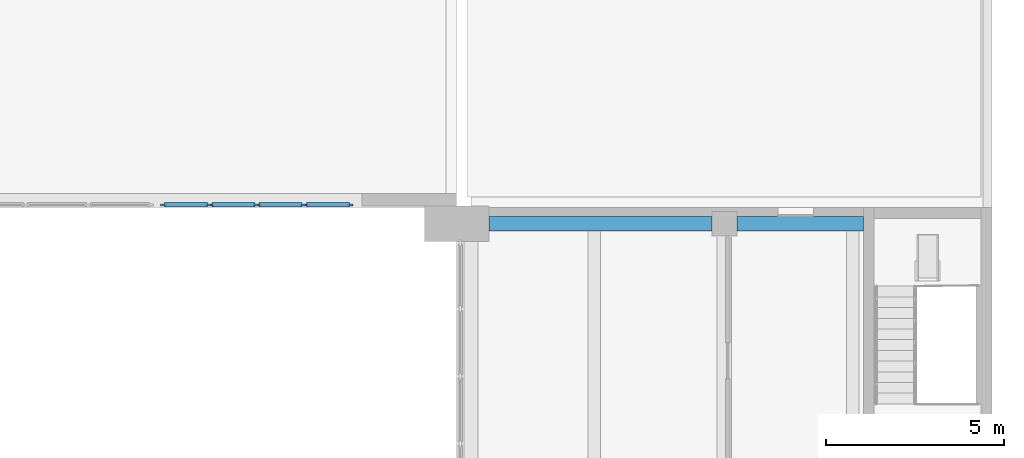
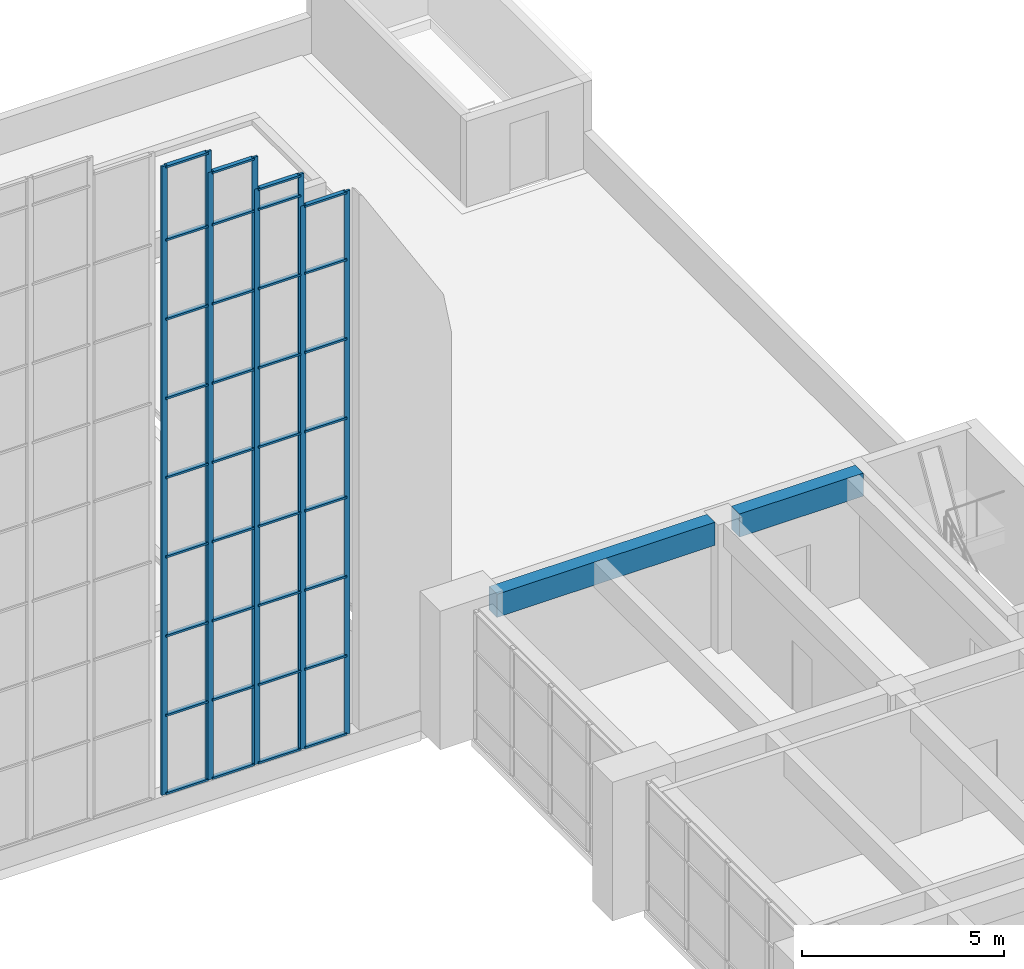
# One storey, part 18 of 43: 43 members, 2 beams, 4 elements without a shape of their own.
"""IFC4 building model written with IfcOpenShell, lengths in metres."""

import ifcopenshell
import ifcopenshell.guid

model = None  # the IFC model being written
_history = None  # IfcOwnerHistory: only IFC2X3 demands one
_inside = {}  # id of a spatial element -> (the spatial element, [elements in it])
_under = {}  # id of a project, library or spatial element -> (it, [spatial elements below it])
_declared = {}  # id of a project -> (the project, [libraries it declares])
_typed = {}  # id of a type object -> (the type object, [elements of that type])
_made_of = {}  # id of a material, layer set ... -> (it, [elements and type objects made of it])


def new_model(schema):
    """Start an empty IFC model of exactly this schema.

    Asked for "IFC4X3", IfcOpenShell would pick the latest addendum, in which some entities
    have other attributes; the version numbers below select the first issue.
    IFC2X3 requires an IfcOwnerHistory on every rooted entity: one is made here for all.
    """
    global model, _history
    if schema == "IFC4X3":
        model = ifcopenshell.file(schema_version=(4, 3, 0, 0))
    else:
        model = ifcopenshell.file(schema=schema)
    _inside.clear()
    _under.clear()
    _declared.clear()
    _typed.clear()
    _made_of.clear()
    _history = None
    if model.schema == "IFC2X3":
        org = make("IfcOrganization", Name="unknown")
        user = make(
            "IfcPersonAndOrganization",
            ThePerson=make("IfcPerson", FamilyName="unknown"),
            TheOrganization=org,
        )
        app = make(
            "IfcApplication",
            ApplicationDeveloper=org,
            Version="unknown",
            ApplicationFullName="unknown",
            ApplicationIdentifier="unknown",
        )
        _history = make(
            "IfcOwnerHistory",
            OwningUser=user,
            OwningApplication=app,
            ChangeAction="ADDED",
            CreationDate=0,
        )
    return model


def make(cls, **values):
    """One entity of the class cls with the attributes given. An attribute that is None is left unset."""
    return model.create_entity(
        cls, **{name: value for name, value in values.items() if value is not None}
    )


def rooted(cls, **values):
    """An entity with a GlobalId (a new one), such as an element, a storey or a relation."""
    return make(cls, GlobalId=ifcopenshell.guid.new(), OwnerHistory=_history, **values)


def si_unit(unit_type, name, prefix=None):
    """IfcSIUnit, for example si_unit("LENGTHUNIT", "METRE", prefix="MILLI")."""
    return make("IfcSIUnit", UnitType=unit_type, Prefix=prefix, Name=name)


def assignment(units):
    """IfcUnitAssignment: the units of a project."""
    return None if units is None else make("IfcUnitAssignment", Units=units)


def point(xyz):
    """IfcCartesianPoint."""
    return None if xyz is None else make("IfcCartesianPoint", Coordinates=xyz)


def direction(xyz):
    """IfcDirection."""
    return None if xyz is None else make("IfcDirection", DirectionRatios=xyz)


def frame(location, z_axis=None, x_axis=None):
    """IfcAxis2Placement3D, a coordinate frame: its origin and axes. An axis left out is left unset."""
    return make(
        "IfcAxis2Placement3D",
        Location=point(location),
        Axis=direction(z_axis),
        RefDirection=direction(x_axis),
    )


def frame_2d(location, x_axis=None):
    """IfcAxis2Placement2D, a coordinate frame in the plane: its origin and x axis."""
    return make(
        "IfcAxis2Placement2D", Location=point(location), RefDirection=direction(x_axis)
    )


def origin():
    """The frame at (0, 0, 0) with its axes left unset."""
    return frame((0.0, 0.0, 0.0))


def origin_2d():
    """The frame at (0, 0) in the plane with its x axis left unset."""
    return frame_2d((0.0, 0.0))


def place(relative_to, where):
    """IfcLocalPlacement: puts the frame where relative to a parent placement (None: the world)."""
    return make(
        "IfcLocalPlacement", PlacementRelTo=relative_to, RelativePlacement=where
    )


def context(
    kind, dimensions, precision=None, world=None, true_north=None, identifier=None
):
    """IfcGeometricRepresentationContext, for example the 3D "Model" context."""
    return make(
        "IfcGeometricRepresentationContext",
        ContextIdentifier=identifier,
        ContextType=kind,
        CoordinateSpaceDimension=dimensions,
        Precision=precision,
        WorldCoordinateSystem=world,
        TrueNorth=true_north,
    )


def subcontext(parent, identifier, kind, view, scale=None):
    """IfcGeometricRepresentationSubContext, for example "Body" below "Model"."""
    return make(
        "IfcGeometricRepresentationSubContext",
        ContextIdentifier=identifier,
        ContextType=kind,
        ParentContext=parent,
        TargetScale=scale,
        TargetView=view,
    )


def project(units=None, contexts=None):
    """IfcProject with its units and contexts."""
    return rooted(
        "IfcProject",
        Name="project",
        RepresentationContexts=contexts,
        UnitsInContext=assignment(units),
    )


def spatial(cls, under=None, at=None, **own):
    """A site, building, storey or space (cls), placed at a placement, below another one or the project."""
    s = rooted(cls, ObjectPlacement=at, **own)
    if under is not None:
        _under.setdefault(under.id(), (under, []))[1].append(s)
    return s


def profile(cls, at=None, kind="AREA", **sizes):
    """A parametric profile (cls). Its sizes go by their IFC names, for example OverallWidth=200.0."""
    return make(cls, ProfileType=kind, Position=at, **sizes)


def rectangle(**sizes):
    """IfcRectangleProfileDef."""
    return profile("IfcRectangleProfileDef", **sizes)


def extrude(swept, where, along, depth):
    """IfcExtrudedAreaSolid: the profile swept, set in the frame where, extruded along a direction by depth."""
    return make(
        "IfcExtrudedAreaSolid",
        SweptArea=swept,
        Position=where,
        ExtrudedDirection=direction(along),
        Depth=depth,
    )


def shape(context_of_items, identifier, shape_type, items):
    """IfcShapeRepresentation: the items that make up one representation, for example the "Body"."""
    return make(
        "IfcShapeRepresentation",
        ContextOfItems=context_of_items,
        RepresentationIdentifier=identifier,
        RepresentationType=shape_type,
        Items=items,
    )


def material(Name=None, Category=None):
    """IfcMaterial."""
    return make("IfcMaterial", Name=Name, Category=Category)


def material_profile(
    of_material, cross_section, Name=None, Category=None, Priority=None
):
    """IfcMaterialProfile: a cross section and its material."""
    return make(
        "IfcMaterialProfile",
        Name=Name,
        Material=of_material,
        Profile=cross_section,
        Priority=Priority,
        Category=Category,
    )


def profile_set(profiles, Name=None, composite=None):
    """IfcMaterialProfileSet."""
    return make(
        "IfcMaterialProfileSet",
        Name=Name,
        MaterialProfiles=profiles,
        CompositeProfile=composite,
    )


def made_of(thing, what):
    """Note that an element or type object is made of a material, layer set ...; save() writes the relation."""
    if what is not None:
        _made_of.setdefault(what.id(), (what, []))[1].append(thing)
    return thing


def type_object(cls, material=None, **own):
    """A type object (cls), such as IfcWallType, which elements share."""
    return made_of(rooted(cls, **own), material)


def element(
    cls,
    number,
    at=None,
    inside=None,
    cuts=None,
    type_object=None,
    material=None,
    context=None,
    identifier="Body",
    shape_type=None,
    held_by="IfcProductDefinitionShape",
    body=None,
    shapes=None,
    **own,
):
    """One element of the class cls, such as IfcWall. Its Tag is "e" and its number.

    at: its placement. inside: the storey or other place that contains it. cuts: it is an
    opening in that element (IfcRelVoidsElement). A single representation is given by context,
    identifier, shape_type and body (its items); several are given by shapes. held_by: the class
    of the entity that holds the representations. save() writes the other relations.
    """
    e = rooted(cls, Tag="e%d" % number, ObjectPlacement=at, **own)
    if body is not None:
        shapes = [shape(context, identifier, shape_type, body)]
    if shapes is not None:
        e.Representation = make(held_by, Representations=shapes)
    if inside is not None:
        _inside.setdefault(inside.id(), (inside, []))[1].append(e)
    if cuts is not None:
        rooted(
            "IfcRelVoidsElement", RelatingBuildingElement=cuts, RelatedOpeningElement=e
        )
    if type_object is not None:
        _typed.setdefault(type_object.id(), (type_object, []))[1].append(e)
    return made_of(e, material)


def aggregate(whole, parts):
    """IfcRelAggregates: a whole, such as a stair, and the parts it consists of."""
    return rooted("IfcRelAggregates", RelatingObject=whole, RelatedObjects=parts)


def save(model, path):
    """Write the relations noted so far, then the file.

    IfcRelAggregates (storeys below a building ...), IfcRelContainedInSpatialStructure (elements
    in a storey), IfcRelDefinesByType, IfcRelAssociatesMaterial and IfcRelDeclares: one each for
    every whole, place, type object, material and project.
    """
    for whole, parts in _under.values():
        aggregate(whole, parts)
    for where, things in _inside.values():
        rooted(
            "IfcRelContainedInSpatialStructure",
            RelatedElements=things,
            RelatingStructure=where,
        )
    for kind, things in _typed.values():
        rooted("IfcRelDefinesByType", RelatedObjects=things, RelatingType=kind)
    for what, things in _made_of.values():
        rooted("IfcRelAssociatesMaterial", RelatedObjects=things, RelatingMaterial=what)
    for by, libraries in _declared.values():
        rooted("IfcRelDeclares", RelatingContext=by, RelatedDefinitions=libraries)
    model.write(path)


model = new_model("IFC4")

# Units and contexts
model_context = context("Model", 3, precision=1e-05, world=origin(), true_north=direction((0.0, 1.0)))
body_context = subcontext(model_context, "Body", "Model", "MODEL_VIEW")
ifc_project = project(units=[si_unit("LENGTHUNIT", "METRE"), si_unit("AREAUNIT", "SQUARE_METRE"), si_unit("VOLUMEUNIT", "CUBIC_METRE"), si_unit("PLANEANGLEUNIT", "RADIAN"), si_unit("MASSUNIT", "GRAM", prefix="KILO")], contexts=[model_context])

# Site, building, storey
site_placement = place(None, origin())
site = spatial("IfcSite", under=ifc_project, at=site_placement, CompositionType="ELEMENT")
building_placement = place(site_placement, origin())
building = spatial("IfcBuilding", under=site, at=building_placement, Name="Elmora Arch Market Hall", CompositionType="ELEMENT")
storey_placement = place(building_placement, frame((0.0, 0.0, 10.199951171875)))
storey = spatial("IfcBuildingStorey", under=building, at=storey_placement, Name="L02", CompositionType="ELEMENT", Elevation=10.199951171875)

# Curtain wall, members
ifc_material_1 = material(Name="Aluminium", Category="aluminium")
curtain_wall_type = type_object("IfcCurtainWallType", Name="Gable curtain wall", PredefinedType="NOTDEFINED", material=ifc_material_1)
curtain_wall_1_placement = place(storey_placement, origin())
curtain_wall_1 = element("IfcCurtainWall", 1, at=curtain_wall_1_placement, inside=storey, type_object=curtain_wall_type, Name="North gable glazing 11", PredefinedType="NOTDEFINED")
ifc_material_2 = material(Name="Aluminium", Category="aluminium")
ifc_material_profile_1 = material_profile(ifc_material_2, rectangle(XDim=0.06005859375, YDim=0.159912109375, at=origin_2d()), Name="AL 60x160")
ifc_profile_set_1 = profile_set([ifc_material_profile_1], Name="Aluminium")
member_type_1 = type_object("IfcMemberType", Name="Mullion 60x160", PredefinedType="MULLION", material=ifc_profile_set_1)
member_1_placement = place(storey_placement, frame((34.780029296875, 99.080078125, 0.60009765625), z_axis=(0.0, 0.0, 1.0), x_axis=(0.0, 1.0, 0.0)))
member_1 = element("IfcMember", 2, at=member_1_placement, type_object=member_type_1, Name="CW8 mullion 1", PredefinedType="MULLION", context=body_context, shape_type="SweptSolid", body=[
    extrude(rectangle(XDim=0.06005859375, YDim=0.159912109375, at=origin_2d()), origin(), (0.0, 0.0, 1.0), 19.044921875),
])
member_2_placement = place(storey_placement, frame((36.044921875, 99.080078125, 0.60009765625), z_axis=(0.0, 0.0, 1.0), x_axis=(0.0, 1.0, 0.0)))
member_2 = element("IfcMember", 3, at=member_2_placement, type_object=member_type_1, Name="CW8 mullion 2", PredefinedType="MULLION", context=body_context, shape_type="SweptSolid", body=[
    extrude(rectangle(XDim=0.06005859375, YDim=0.159912109375, at=origin_2d()), origin(), (0.0, 0.0, 1.0), 19.044921875),
])

curtain_wall_2_placement = place(storey_placement, origin())
curtain_wall_2 = element("IfcCurtainWall", 4, at=curtain_wall_2_placement, inside=storey, type_object=curtain_wall_type, Name="North gable glazing 12", PredefinedType="NOTDEFINED")
member_3_placement = place(storey_placement, frame((36.10498046875, 99.080078125, 0.60009765625), z_axis=(0.0, 0.0, 1.0), x_axis=(0.0, 1.0, 0.0)))
member_3 = element("IfcMember", 5, at=member_3_placement, type_object=member_type_1, Name="CW8 mullion 1", PredefinedType="MULLION", context=body_context, shape_type="SweptSolid", body=[
    extrude(rectangle(XDim=0.06005859375, YDim=0.159912109375, at=origin_2d()), origin(), (0.0, 0.0, 1.0), 18.406982421875),
])
member_4_placement = place(storey_placement, frame((37.3701171875, 99.080078125, 0.60009765625), z_axis=(0.0, 0.0, 1.0), x_axis=(0.0, 1.0, 0.0)))
member_4 = element("IfcMember", 6, at=member_4_placement, type_object=member_type_1, Name="CW8 mullion 2", PredefinedType="MULLION", context=body_context, shape_type="SweptSolid", body=[
    extrude(rectangle(XDim=0.06005859375, YDim=0.159912109375, at=origin_2d()), origin(), (0.0, 0.0, 1.0), 18.406982421875),
])

curtain_wall_3_placement = place(storey_placement, origin())
curtain_wall_3 = element("IfcCurtainWall", 7, at=curtain_wall_3_placement, inside=storey, type_object=curtain_wall_type, Name="North gable glazing 13", PredefinedType="NOTDEFINED")
member_5_placement = place(storey_placement, frame((37.429931640625, 99.080078125, 0.60009765625), z_axis=(0.0, 0.0, 1.0), x_axis=(0.0, 1.0, 0.0)))
member_5 = element("IfcMember", 8, at=member_5_placement, type_object=member_type_1, Name="CW8 mullion 1", PredefinedType="MULLION", context=body_context, shape_type="SweptSolid", body=[
    extrude(rectangle(XDim=0.06005859375, YDim=0.159912109375, at=origin_2d()), origin(), (0.0, 0.0, 1.0), 17.431884765625),
])
member_6_placement = place(storey_placement, frame((38.695068359375, 99.080078125, 0.60009765625), z_axis=(0.0, 0.0, 1.0), x_axis=(0.0, 1.0, 0.0)))
member_6 = element("IfcMember", 9, at=member_6_placement, type_object=member_type_1, Name="CW8 mullion 2", PredefinedType="MULLION", context=body_context, shape_type="SweptSolid", body=[
    extrude(rectangle(XDim=0.06005859375, YDim=0.159912109375, at=origin_2d()), origin(), (0.0, 0.0, 1.0), 17.431884765625),
])

curtain_wall_4_placement = place(storey_placement, origin())
curtain_wall_4 = element("IfcCurtainWall", 10, at=curtain_wall_4_placement, inside=storey, type_object=curtain_wall_type, Name="North gable glazing 14", PredefinedType="NOTDEFINED")
member_7_placement = place(storey_placement, frame((38.7548828125, 99.080078125, 0.60009765625), z_axis=(0.0, 0.0, 1.0), x_axis=(0.0, 1.0, 0.0)))
member_7 = element("IfcMember", 11, at=member_7_placement, type_object=member_type_1, Name="CW8 mullion 1", PredefinedType="MULLION", context=body_context, shape_type="SweptSolid", body=[
    extrude(rectangle(XDim=0.06005859375, YDim=0.159912109375, at=origin_2d()), origin(), (0.0, 0.0, 1.0), 16.4580078125),
])
member_8_placement = place(storey_placement, frame((40.02001953125, 99.080078125, 0.60009765625), z_axis=(0.0, 0.0, 1.0), x_axis=(0.0, 1.0, 0.0)))
member_8 = element("IfcMember", 12, at=member_8_placement, type_object=member_type_1, Name="CW8 mullion 2", PredefinedType="MULLION", context=body_context, shape_type="SweptSolid", body=[
    extrude(rectangle(XDim=0.06005859375, YDim=0.159912109375, at=origin_2d()), origin(), (0.0, 0.0, 1.0), 16.4580078125),
])

# Member
ifc_material_3 = material(Name="Aluminium", Category="aluminium")
ifc_material_profile_2 = material_profile(ifc_material_3, rectangle(XDim=0.1201171875, YDim=0.06005859375, at=origin_2d()), Name="AL 120x60")
ifc_profile_set_2 = profile_set([ifc_material_profile_2], Name="Aluminium")
member_type_2 = type_object("IfcMemberType", Name="Transom 120x60", PredefinedType="USERDEFINED", material=ifc_profile_set_2)
member_9_placement = place(storey_placement, frame((34.81005859375, 99.080078125, 0.630126953125), z_axis=(1.0, 0.0, 0.0), x_axis=(0.0, 1.0, 0.0)))
member_9 = element("IfcMember", 13, at=member_9_placement, type_object=member_type_2, Name="CW8 transom 1.1", ObjectType="TRANSOM", PredefinedType="USERDEFINED", context=body_context, shape_type="SweptSolid", body=[
    extrude(rectangle(XDim=0.1201171875, YDim=0.06005859375, at=origin_2d()), origin(), (0.0, 0.0, 1.0), 1.204833984375),
])

member_10_placement = place(storey_placement, frame((34.81005859375, 99.080078125, 3.0), z_axis=(1.0, 0.0, 0.0), x_axis=(0.0, 1.0, 0.0)))
member_10 = element("IfcMember", 14, at=member_10_placement, type_object=member_type_2, Name="CW8 transom 1.2", ObjectType="TRANSOM", PredefinedType="USERDEFINED", context=body_context, shape_type="SweptSolid", body=[
    extrude(rectangle(XDim=0.1201171875, YDim=0.06005859375, at=origin_2d()), origin(), (0.0, 0.0, 1.0), 1.204833984375),
])

member_11_placement = place(storey_placement, frame((34.81005859375, 99.080078125, 5.400146484375), z_axis=(1.0, 0.0, 0.0), x_axis=(0.0, 1.0, 0.0)))
member_11 = element("IfcMember", 15, at=member_11_placement, type_object=member_type_2, Name="CW8 transom 1.3", ObjectType="TRANSOM", PredefinedType="USERDEFINED", context=body_context, shape_type="SweptSolid", body=[
    extrude(rectangle(XDim=0.1201171875, YDim=0.06005859375, at=origin_2d()), origin(), (0.0, 0.0, 1.0), 1.204833984375),
])

member_12_placement = place(storey_placement, frame((34.81005859375, 99.080078125, 7.800048828125), z_axis=(1.0, 0.0, 0.0), x_axis=(0.0, 1.0, 0.0)))
member_12 = element("IfcMember", 16, at=member_12_placement, type_object=member_type_2, Name="CW8 transom 1.4", ObjectType="TRANSOM", PredefinedType="USERDEFINED", context=body_context, shape_type="SweptSolid", body=[
    extrude(rectangle(XDim=0.1201171875, YDim=0.06005859375, at=origin_2d()), origin(), (0.0, 0.0, 1.0), 1.204833984375),
])

member_13_placement = place(storey_placement, frame((34.81005859375, 99.080078125, 10.199951171875), z_axis=(1.0, 0.0, 0.0), x_axis=(0.0, 1.0, 0.0)))
member_13 = element("IfcMember", 17, at=member_13_placement, type_object=member_type_2, Name="CW8 transom 1.5", ObjectType="TRANSOM", PredefinedType="USERDEFINED", context=body_context, shape_type="SweptSolid", body=[
    extrude(rectangle(XDim=0.1201171875, YDim=0.06005859375, at=origin_2d()), origin(), (0.0, 0.0, 1.0), 1.204833984375),
])

member_14_placement = place(storey_placement, frame((34.81005859375, 99.080078125, 12.60009765625), z_axis=(1.0, 0.0, 0.0), x_axis=(0.0, 1.0, 0.0)))
member_14 = element("IfcMember", 18, at=member_14_placement, type_object=member_type_2, Name="CW8 transom 1.6", ObjectType="TRANSOM", PredefinedType="USERDEFINED", context=body_context, shape_type="SweptSolid", body=[
    extrude(rectangle(XDim=0.1201171875, YDim=0.06005859375, at=origin_2d()), origin(), (0.0, 0.0, 1.0), 1.204833984375),
])

member_15_placement = place(storey_placement, frame((34.81005859375, 99.080078125, 15.0), z_axis=(1.0, 0.0, 0.0), x_axis=(0.0, 1.0, 0.0)))
member_15 = element("IfcMember", 19, at=member_15_placement, type_object=member_type_2, Name="CW8 transom 1.7", ObjectType="TRANSOM", PredefinedType="USERDEFINED", context=body_context, shape_type="SweptSolid", body=[
    extrude(rectangle(XDim=0.1201171875, YDim=0.06005859375, at=origin_2d()), origin(), (0.0, 0.0, 1.0), 1.204833984375),
])

member_16_placement = place(storey_placement, frame((34.81005859375, 99.080078125, 17.400146484375), z_axis=(1.0, 0.0, 0.0), x_axis=(0.0, 1.0, 0.0)))
member_16 = element("IfcMember", 20, at=member_16_placement, type_object=member_type_2, Name="CW8 transom 1.8", ObjectType="TRANSOM", PredefinedType="USERDEFINED", context=body_context, shape_type="SweptSolid", body=[
    extrude(rectangle(XDim=0.1201171875, YDim=0.06005859375, at=origin_2d()), origin(), (0.0, 0.0, 1.0), 1.204833984375),
])

member_17_placement = place(storey_placement, frame((34.81005859375, 99.080078125, 19.614990234375), z_axis=(1.0, 0.0, 0.0), x_axis=(0.0, 1.0, 0.0)))
member_17 = element("IfcMember", 21, at=member_17_placement, type_object=member_type_2, Name="CW8 transom 1.9", ObjectType="TRANSOM", PredefinedType="USERDEFINED", context=body_context, shape_type="SweptSolid", body=[
    extrude(rectangle(XDim=0.1201171875, YDim=0.06005859375, at=origin_2d()), origin(), (0.0, 0.0, 1.0), 1.204833984375),
])

aggregate(curtain_wall_1, [member_1, member_2, member_9, member_10, member_11, member_12, member_13, member_14, member_15, member_16, member_17])

member_18_placement = place(storey_placement, frame((36.135009765625, 99.080078125, 0.630126953125), z_axis=(1.0, 0.0, 0.0), x_axis=(0.0, 1.0, 0.0)))
member_18 = element("IfcMember", 22, at=member_18_placement, type_object=member_type_2, Name="CW8 transom 1.1", ObjectType="TRANSOM", PredefinedType="USERDEFINED", context=body_context, shape_type="SweptSolid", body=[
    extrude(rectangle(XDim=0.1201171875, YDim=0.06005859375, at=origin_2d()), origin(), (0.0, 0.0, 1.0), 1.205078125),
])

member_19_placement = place(storey_placement, frame((36.135009765625, 99.080078125, 3.0), z_axis=(1.0, 0.0, 0.0), x_axis=(0.0, 1.0, 0.0)))
member_19 = element("IfcMember", 23, at=member_19_placement, type_object=member_type_2, Name="CW8 transom 1.2", ObjectType="TRANSOM", PredefinedType="USERDEFINED", context=body_context, shape_type="SweptSolid", body=[
    extrude(rectangle(XDim=0.1201171875, YDim=0.06005859375, at=origin_2d()), origin(), (0.0, 0.0, 1.0), 1.205078125),
])

member_20_placement = place(storey_placement, frame((36.135009765625, 99.080078125, 5.400146484375), z_axis=(1.0, 0.0, 0.0), x_axis=(0.0, 1.0, 0.0)))
member_20 = element("IfcMember", 24, at=member_20_placement, type_object=member_type_2, Name="CW8 transom 1.3", ObjectType="TRANSOM", PredefinedType="USERDEFINED", context=body_context, shape_type="SweptSolid", body=[
    extrude(rectangle(XDim=0.1201171875, YDim=0.06005859375, at=origin_2d()), origin(), (0.0, 0.0, 1.0), 1.205078125),
])

member_21_placement = place(storey_placement, frame((36.135009765625, 99.080078125, 7.800048828125), z_axis=(1.0, 0.0, 0.0), x_axis=(0.0, 1.0, 0.0)))
member_21 = element("IfcMember", 25, at=member_21_placement, type_object=member_type_2, Name="CW8 transom 1.4", ObjectType="TRANSOM", PredefinedType="USERDEFINED", context=body_context, shape_type="SweptSolid", body=[
    extrude(rectangle(XDim=0.1201171875, YDim=0.06005859375, at=origin_2d()), origin(), (0.0, 0.0, 1.0), 1.205078125),
])

member_22_placement = place(storey_placement, frame((36.135009765625, 99.080078125, 10.199951171875), z_axis=(1.0, 0.0, 0.0), x_axis=(0.0, 1.0, 0.0)))
member_22 = element("IfcMember", 26, at=member_22_placement, type_object=member_type_2, Name="CW8 transom 1.5", ObjectType="TRANSOM", PredefinedType="USERDEFINED", context=body_context, shape_type="SweptSolid", body=[
    extrude(rectangle(XDim=0.1201171875, YDim=0.06005859375, at=origin_2d()), origin(), (0.0, 0.0, 1.0), 1.205078125),
])

member_23_placement = place(storey_placement, frame((36.135009765625, 99.080078125, 12.60009765625), z_axis=(1.0, 0.0, 0.0), x_axis=(0.0, 1.0, 0.0)))
member_23 = element("IfcMember", 27, at=member_23_placement, type_object=member_type_2, Name="CW8 transom 1.6", ObjectType="TRANSOM", PredefinedType="USERDEFINED", context=body_context, shape_type="SweptSolid", body=[
    extrude(rectangle(XDim=0.1201171875, YDim=0.06005859375, at=origin_2d()), origin(), (0.0, 0.0, 1.0), 1.205078125),
])

member_24_placement = place(storey_placement, frame((36.135009765625, 99.080078125, 15.0), z_axis=(1.0, 0.0, 0.0), x_axis=(0.0, 1.0, 0.0)))
member_24 = element("IfcMember", 28, at=member_24_placement, type_object=member_type_2, Name="CW8 transom 1.7", ObjectType="TRANSOM", PredefinedType="USERDEFINED", context=body_context, shape_type="SweptSolid", body=[
    extrude(rectangle(XDim=0.1201171875, YDim=0.06005859375, at=origin_2d()), origin(), (0.0, 0.0, 1.0), 1.205078125),
])

member_25_placement = place(storey_placement, frame((36.135009765625, 99.080078125, 17.400146484375), z_axis=(1.0, 0.0, 0.0), x_axis=(0.0, 1.0, 0.0)))
member_25 = element("IfcMember", 29, at=member_25_placement, type_object=member_type_2, Name="CW8 transom 1.8", ObjectType="TRANSOM", PredefinedType="USERDEFINED", context=body_context, shape_type="SweptSolid", body=[
    extrude(rectangle(XDim=0.1201171875, YDim=0.06005859375, at=origin_2d()), origin(), (0.0, 0.0, 1.0), 1.205078125),
])

member_26_placement = place(storey_placement, frame((36.135009765625, 99.080078125, 18.97705078125), z_axis=(1.0, 0.0, 0.0), x_axis=(0.0, 1.0, 0.0)))
member_26 = element("IfcMember", 30, at=member_26_placement, type_object=member_type_2, Name="CW8 transom 1.9", ObjectType="TRANSOM", PredefinedType="USERDEFINED", context=body_context, shape_type="SweptSolid", body=[
    extrude(rectangle(XDim=0.1201171875, YDim=0.06005859375, at=origin_2d()), origin(), (0.0, 0.0, 1.0), 1.205078125),
])

aggregate(curtain_wall_2, [member_3, member_4, member_18, member_19, member_20, member_21, member_22, member_23, member_24, member_25, member_26])

member_27_placement = place(storey_placement, frame((37.4599609375, 99.080078125, 0.630126953125), z_axis=(1.0, 0.0, 0.0), x_axis=(0.0, 1.0, 0.0)))
member_27 = element("IfcMember", 31, at=member_27_placement, type_object=member_type_2, Name="CW8 transom 1.1", ObjectType="TRANSOM", PredefinedType="USERDEFINED", context=body_context, shape_type="SweptSolid", body=[
    extrude(rectangle(XDim=0.1201171875, YDim=0.06005859375, at=origin_2d()), origin(), (0.0, 0.0, 1.0), 1.205078125),
])

member_28_placement = place(storey_placement, frame((37.4599609375, 99.080078125, 3.0), z_axis=(1.0, 0.0, 0.0), x_axis=(0.0, 1.0, 0.0)))
member_28 = element("IfcMember", 32, at=member_28_placement, type_object=member_type_2, Name="CW8 transom 1.2", ObjectType="TRANSOM", PredefinedType="USERDEFINED", context=body_context, shape_type="SweptSolid", body=[
    extrude(rectangle(XDim=0.1201171875, YDim=0.06005859375, at=origin_2d()), origin(), (0.0, 0.0, 1.0), 1.205078125),
])

member_29_placement = place(storey_placement, frame((37.4599609375, 99.080078125, 5.400146484375), z_axis=(1.0, 0.0, 0.0), x_axis=(0.0, 1.0, 0.0)))
member_29 = element("IfcMember", 33, at=member_29_placement, type_object=member_type_2, Name="CW8 transom 1.3", ObjectType="TRANSOM", PredefinedType="USERDEFINED", context=body_context, shape_type="SweptSolid", body=[
    extrude(rectangle(XDim=0.1201171875, YDim=0.06005859375, at=origin_2d()), origin(), (0.0, 0.0, 1.0), 1.205078125),
])

member_30_placement = place(storey_placement, frame((37.4599609375, 99.080078125, 7.800048828125), z_axis=(1.0, 0.0, 0.0), x_axis=(0.0, 1.0, 0.0)))
member_30 = element("IfcMember", 34, at=member_30_placement, type_object=member_type_2, Name="CW8 transom 1.4", ObjectType="TRANSOM", PredefinedType="USERDEFINED", context=body_context, shape_type="SweptSolid", body=[
    extrude(rectangle(XDim=0.1201171875, YDim=0.06005859375, at=origin_2d()), origin(), (0.0, 0.0, 1.0), 1.205078125),
])

member_31_placement = place(storey_placement, frame((37.4599609375, 99.080078125, 10.199951171875), z_axis=(1.0, 0.0, 0.0), x_axis=(0.0, 1.0, 0.0)))
member_31 = element("IfcMember", 35, at=member_31_placement, type_object=member_type_2, Name="CW8 transom 1.5", ObjectType="TRANSOM", PredefinedType="USERDEFINED", context=body_context, shape_type="SweptSolid", body=[
    extrude(rectangle(XDim=0.1201171875, YDim=0.06005859375, at=origin_2d()), origin(), (0.0, 0.0, 1.0), 1.205078125),
])

member_32_placement = place(storey_placement, frame((37.4599609375, 99.080078125, 12.60009765625), z_axis=(1.0, 0.0, 0.0), x_axis=(0.0, 1.0, 0.0)))
member_32 = element("IfcMember", 36, at=member_32_placement, type_object=member_type_2, Name="CW8 transom 1.6", ObjectType="TRANSOM", PredefinedType="USERDEFINED", context=body_context, shape_type="SweptSolid", body=[
    extrude(rectangle(XDim=0.1201171875, YDim=0.06005859375, at=origin_2d()), origin(), (0.0, 0.0, 1.0), 1.205078125),
])

member_33_placement = place(storey_placement, frame((37.4599609375, 99.080078125, 15.0), z_axis=(1.0, 0.0, 0.0), x_axis=(0.0, 1.0, 0.0)))
member_33 = element("IfcMember", 37, at=member_33_placement, type_object=member_type_2, Name="CW8 transom 1.7", ObjectType="TRANSOM", PredefinedType="USERDEFINED", context=body_context, shape_type="SweptSolid", body=[
    extrude(rectangle(XDim=0.1201171875, YDim=0.06005859375, at=origin_2d()), origin(), (0.0, 0.0, 1.0), 1.205078125),
])

member_34_placement = place(storey_placement, frame((37.4599609375, 99.080078125, 17.400146484375), z_axis=(1.0, 0.0, 0.0), x_axis=(0.0, 1.0, 0.0)))
member_34 = element("IfcMember", 38, at=member_34_placement, type_object=member_type_2, Name="CW8 transom 1.8", ObjectType="TRANSOM", PredefinedType="USERDEFINED", context=body_context, shape_type="SweptSolid", body=[
    extrude(rectangle(XDim=0.1201171875, YDim=0.06005859375, at=origin_2d()), origin(), (0.0, 0.0, 1.0), 1.205078125),
])

member_35_placement = place(storey_placement, frame((37.4599609375, 99.080078125, 18.001953125), z_axis=(1.0, 0.0, 0.0), x_axis=(0.0, 1.0, 0.0)))
member_35 = element("IfcMember", 39, at=member_35_placement, type_object=member_type_2, Name="CW8 transom 1.9", ObjectType="TRANSOM", PredefinedType="USERDEFINED", context=body_context, shape_type="SweptSolid", body=[
    extrude(rectangle(XDim=0.1201171875, YDim=0.06005859375, at=origin_2d()), origin(), (0.0, 0.0, 1.0), 1.205078125),
])

aggregate(curtain_wall_3, [member_5, member_6, member_27, member_28, member_29, member_30, member_31, member_32, member_33, member_34, member_35])

member_36_placement = place(storey_placement, frame((38.784912109375, 99.080078125, 0.630126953125), z_axis=(1.0, 0.0, 0.0), x_axis=(0.0, 1.0, 0.0)))
member_36 = element("IfcMember", 40, at=member_36_placement, type_object=member_type_2, Name="CW8 transom 1.1", ObjectType="TRANSOM", PredefinedType="USERDEFINED", context=body_context, shape_type="SweptSolid", body=[
    extrude(rectangle(XDim=0.1201171875, YDim=0.06005859375, at=origin_2d()), origin(), (0.0, 0.0, 1.0), 1.205078125),
])

member_37_placement = place(storey_placement, frame((38.784912109375, 99.080078125, 3.0), z_axis=(1.0, 0.0, 0.0), x_axis=(0.0, 1.0, 0.0)))
member_37 = element("IfcMember", 41, at=member_37_placement, type_object=member_type_2, Name="CW8 transom 1.2", ObjectType="TRANSOM", PredefinedType="USERDEFINED", context=body_context, shape_type="SweptSolid", body=[
    extrude(rectangle(XDim=0.1201171875, YDim=0.06005859375, at=origin_2d()), origin(), (0.0, 0.0, 1.0), 1.205078125),
])

member_38_placement = place(storey_placement, frame((38.784912109375, 99.080078125, 5.400146484375), z_axis=(1.0, 0.0, 0.0), x_axis=(0.0, 1.0, 0.0)))
member_38 = element("IfcMember", 42, at=member_38_placement, type_object=member_type_2, Name="CW8 transom 1.3", ObjectType="TRANSOM", PredefinedType="USERDEFINED", context=body_context, shape_type="SweptSolid", body=[
    extrude(rectangle(XDim=0.1201171875, YDim=0.06005859375, at=origin_2d()), origin(), (0.0, 0.0, 1.0), 1.205078125),
])

member_39_placement = place(storey_placement, frame((38.784912109375, 99.080078125, 7.800048828125), z_axis=(1.0, 0.0, 0.0), x_axis=(0.0, 1.0, 0.0)))
member_39 = element("IfcMember", 43, at=member_39_placement, type_object=member_type_2, Name="CW8 transom 1.4", ObjectType="TRANSOM", PredefinedType="USERDEFINED", context=body_context, shape_type="SweptSolid", body=[
    extrude(rectangle(XDim=0.1201171875, YDim=0.06005859375, at=origin_2d()), origin(), (0.0, 0.0, 1.0), 1.205078125),
])

member_40_placement = place(storey_placement, frame((38.784912109375, 99.080078125, 10.199951171875), z_axis=(1.0, 0.0, 0.0), x_axis=(0.0, 1.0, 0.0)))
member_40 = element("IfcMember", 44, at=member_40_placement, type_object=member_type_2, Name="CW8 transom 1.5", ObjectType="TRANSOM", PredefinedType="USERDEFINED", context=body_context, shape_type="SweptSolid", body=[
    extrude(rectangle(XDim=0.1201171875, YDim=0.06005859375, at=origin_2d()), origin(), (0.0, 0.0, 1.0), 1.205078125),
])

member_41_placement = place(storey_placement, frame((38.784912109375, 99.080078125, 12.60009765625), z_axis=(1.0, 0.0, 0.0), x_axis=(0.0, 1.0, 0.0)))
member_41 = element("IfcMember", 45, at=member_41_placement, type_object=member_type_2, Name="CW8 transom 1.6", ObjectType="TRANSOM", PredefinedType="USERDEFINED", context=body_context, shape_type="SweptSolid", body=[
    extrude(rectangle(XDim=0.1201171875, YDim=0.06005859375, at=origin_2d()), origin(), (0.0, 0.0, 1.0), 1.205078125),
])

member_42_placement = place(storey_placement, frame((38.784912109375, 99.080078125, 15.0), z_axis=(1.0, 0.0, 0.0), x_axis=(0.0, 1.0, 0.0)))
member_42 = element("IfcMember", 46, at=member_42_placement, type_object=member_type_2, Name="CW8 transom 1.7", ObjectType="TRANSOM", PredefinedType="USERDEFINED", context=body_context, shape_type="SweptSolid", body=[
    extrude(rectangle(XDim=0.1201171875, YDim=0.06005859375, at=origin_2d()), origin(), (0.0, 0.0, 1.0), 1.205078125),
])

member_43_placement = place(storey_placement, frame((38.784912109375, 99.080078125, 17.028076171875), z_axis=(1.0, 0.0, 0.0), x_axis=(0.0, 1.0, 0.0)))
member_43 = element("IfcMember", 47, at=member_43_placement, type_object=member_type_2, Name="CW8 transom 1.8", ObjectType="TRANSOM", PredefinedType="USERDEFINED", context=body_context, shape_type="SweptSolid", body=[
    extrude(rectangle(XDim=0.1201171875, YDim=0.06005859375, at=origin_2d()), origin(), (0.0, 0.0, 1.0), 1.205078125),
])

aggregate(curtain_wall_4, [member_7, member_8, member_36, member_37, member_38, member_39, member_40, member_41, member_42, member_43])

# Beams
ifc_material_4 = material(Name="Concrete C32/40", Category="concrete")
ifc_material_profile_3 = material_profile(ifc_material_4, rectangle(XDim=0.39990234375, YDim=0.699951171875, at=origin_2d()), Name="Wing beam 400x700")
ifc_profile_set_3 = profile_set([ifc_material_profile_3], Name="Concrete C32/40")
beam_type = type_object("IfcBeamType", Name="Wing beam 400x700", PredefinedType="BEAM", material=ifc_profile_set_3)
beam_1_placement = place(storey_placement, frame((43.89990234375, 98.550048828125, 3.550048828125), z_axis=(1.0, 0.0, 0.0), x_axis=(0.0, 1.0, 0.0)))
element("IfcBeam", 48, at=beam_1_placement, inside=storey, type_object=beam_type, Name="Wing beam ER9 L02.1", PredefinedType="BEAM", context=body_context, shape_type="SweptSolid", body=[
    extrude(rectangle(XDim=0.39990234375, YDim=0.699951171875, at=origin_2d()), origin(), (0.0, 0.0, 1.0), 6.25),
])
beam_2_placement = place(storey_placement, frame((50.85009765625, 98.550048828125, 3.550048828125), z_axis=(1.0, 0.0, 0.0), x_axis=(0.0, 1.0, 0.0)))
element("IfcBeam", 49, at=beam_2_placement, inside=storey, type_object=beam_type, Name="Wing beam ER9 L02.2", PredefinedType="BEAM", context=body_context, shape_type="SweptSolid", body=[
    extrude(rectangle(XDim=0.39990234375, YDim=0.699951171875, at=origin_2d()), origin(), (0.0, 0.0, 1.0), 3.5498046875),
])

save(model, "model.ifc")
